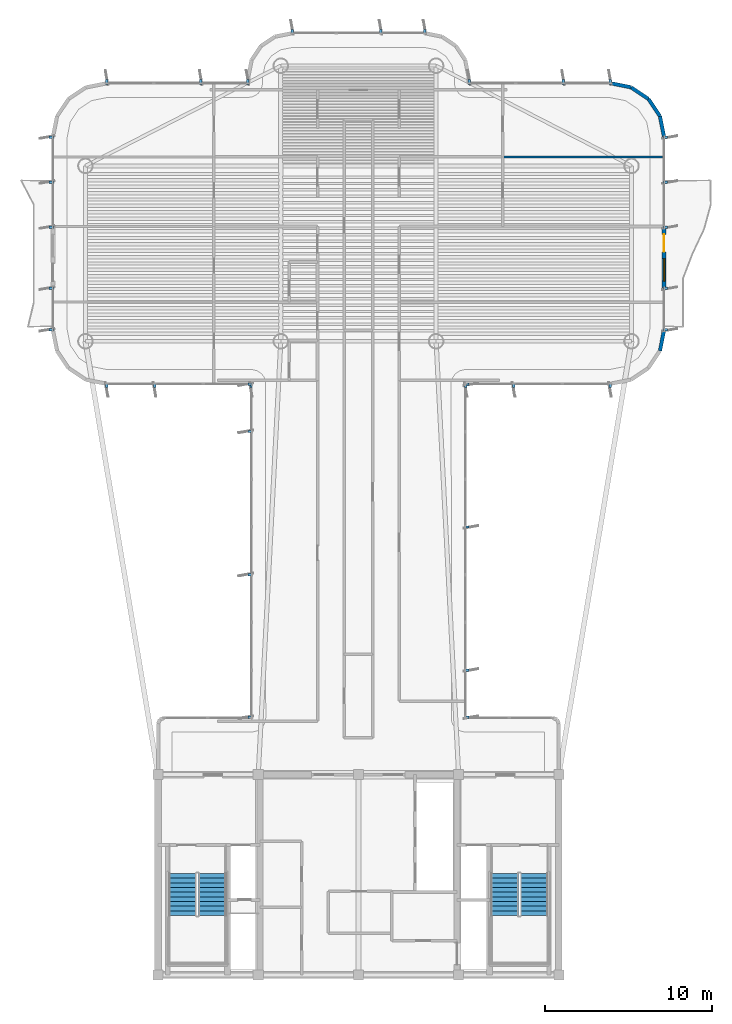
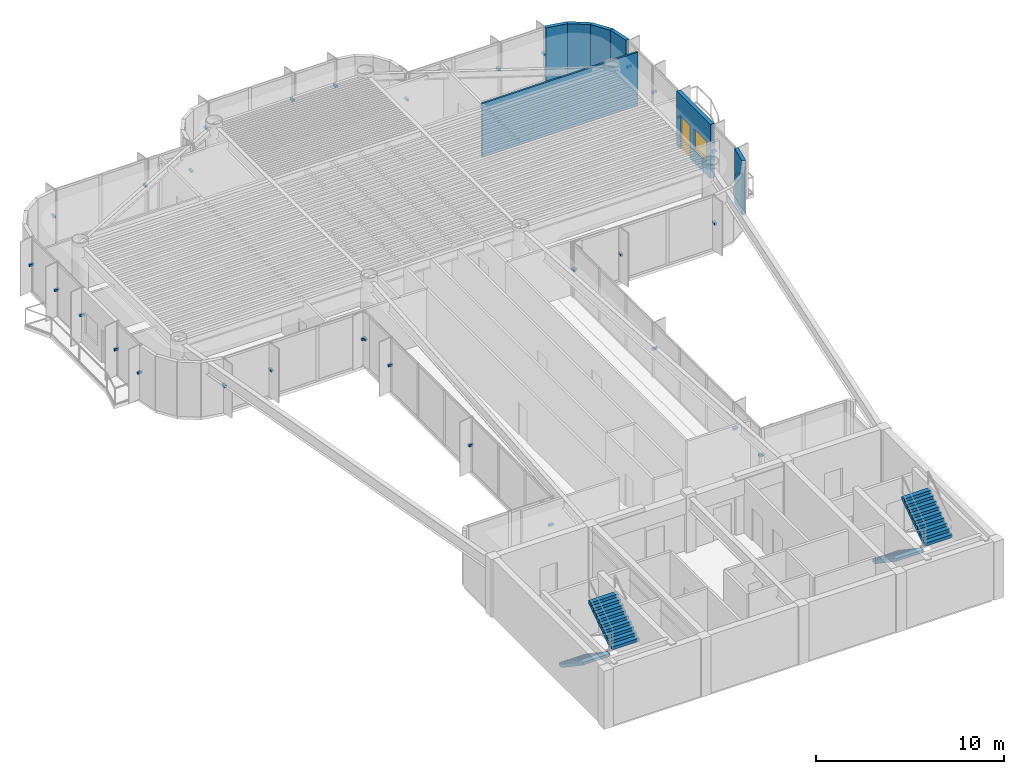
# One storey, part 13 of 15: 33 discrete accessories, 7 walls, 4 stair flights, 1 door, 1 window, 2 openings, 2 elements without a shape of their own.
"""IFC4 building model written with IfcOpenShell, lengths in metres."""

from ifc_helpers import new_model, si_unit, direction, frame, frame_2d, origin, origin_2d, place, context, subcontext, project, spatial, polyline, rectangle, outline, extrude, source, transform, mapped, material, layer, layer_set, type_object, element, fill, aggregate, save


model = new_model("IFC4")

# Units and contexts
model_context = context("Model", 3, precision=1e-05, world=origin(), true_north=direction((0.0, 1.0)))
body_context = subcontext(model_context, "Body", "Model", "MODEL_VIEW")
ifc_project = project(units=[si_unit("LENGTHUNIT", "METRE"), si_unit("AREAUNIT", "SQUARE_METRE"), si_unit("VOLUMEUNIT", "CUBIC_METRE"), si_unit("PLANEANGLEUNIT", "RADIAN"), si_unit("MASSUNIT", "GRAM", prefix="KILO")], contexts=[model_context])

# Site, building, storey
site_placement = place(None, origin())
site = spatial("IfcSite", under=ifc_project, at=site_placement, CompositionType="ELEMENT")
building_placement = place(site_placement, origin())
building = spatial("IfcBuilding", under=site, at=building_placement, Name="Brelvock Crest Care Tower", CompositionType="ELEMENT")
storey_placement = place(building_placement, frame((0.0, 0.0, 260.820068359375)))
storey = spatial("IfcBuildingStorey", under=building, at=storey_placement, Name="L66", CompositionType="ELEMENT", Elevation=260.820068359375)

# Wall, openings, door, window
ifc_material_1 = material(Name="Precast concrete N40 (40 MPa)", Category="concrete")
ifc_layer_1 = layer(ifc_material_1, 0.239990234375, Name="WL-EX1")
ifc_layer_set_1 = layer_set([ifc_layer_1], Name="Precast concrete N40 (40 MPa)")
wall_type_1 = type_object("IfcWallType", Name="WL-EX1", PredefinedType="SOLIDWALL", material=ifc_layer_set_1)
wall_1_placement = place(storey_placement, frame((54.300048828125, 50.75, 0.0), z_axis=(0.0, 0.0, 1.0), x_axis=(0.0, -1.0, 0.0)))
wall_1 = element("IfcWall", 1, at=wall_1_placement, inside=storey, type_object=wall_type_1, Name="L66 Exterior Spandrel Wall WL-BAL-L66-E", PredefinedType="SOLIDWALL", context=body_context, shape_type="SweptSolid", body=[
    extrude(rectangle(XDim=3.60009765625, YDim=0.239990234375, at=frame_2d((1.800048828125, 0.0))), origin(), (0.0, 0.0, 1.0), 3.530029296875),
])
opening_1_placement = place(wall_1_placement, frame((0.39990234375, 0.0, 0.0)))
opening_1 = element("IfcOpeningElement", 2, at=opening_1_placement, cuts=wall_1, Name="Opening BD-1", PredefinedType="OPENING", context=body_context, shape_type="SweptSolid", body=[
    extrude(rectangle(XDim=1.050048828125, YDim=2.14990234375, at=origin_2d()), frame((0.52490234375, 0.1298828125, 1.074951171875), z_axis=(0.0, -1.0, 0.0), x_axis=(1.0, 0.0, 0.0)), (0.0, 0.0, 1.0), 0.260009765625),
])
opening_2_placement = place(wall_1_placement, frame((1.85009765625, 0.0, 0.85009765625)))
opening_2 = element("IfcOpeningElement", 3, at=opening_2_placement, cuts=wall_1, Name="Opening W-01", PredefinedType="OPENING", context=body_context, shape_type="SweptSolid", body=[
    extrude(rectangle(XDim=1.35009765625, YDim=1.35009765625, at=origin_2d()), frame((0.675048828125, 0.1298828125, 0.675048828125), z_axis=(0.0, -1.0, 0.0), x_axis=(1.0, 0.0, 0.0)), (0.0, 0.0, 1.0), 0.260009765625),
])
ifc_material_2 = material(Name="Dark Glass Double Glazed Low-E", Category="glass")
door_type = type_object("IfcDoorType", Name="DR-BAL1", OperationType="NOTDEFINED", PredefinedType="DOOR", material=ifc_material_2)
shared_shape_1 = source(origin(), body_context, "Body", "SweptSolid", [
    extrude(rectangle(XDim=1.050048828125, YDim=2.14990234375, at=origin_2d()), frame((0.52490234375, 0.02490234375, 1.074951171875), z_axis=(0.0, -1.0, 0.0), x_axis=(1.0, 0.0, 0.0)), (0.0, 0.0, 1.0), 0.050048828125),
])
door_placement = place(opening_1_placement, origin())
door = element("IfcDoor", 4, at=door_placement, inside=storey, type_object=door_type, Name="L66 E Wave Balcony Glazed Door", OperationType="SINGLE_SWING_RIGHT", OverallHeight=2.14990234375, OverallWidth=1.050048828125, PredefinedType="DOOR", context=body_context, shape_type="MappedRepresentation", body=[
    mapped(shared_shape_1, transform((0.0, 0.0, 0.0), x_axis=(1.0, 0.0, 0.0), y_axis=(0.0, 1.0, 0.0), z_axis=(0.0, 0.0, 1.0), scale=1.0)),
])
fill(opening_1, door)
window_type = type_object("IfcWindowType", Name="WN-EX1", PartitioningType="SINGLE_PANEL", PredefinedType="WINDOW", material=ifc_material_2)
shared_shape_2 = source(origin(), body_context, "Body", "SweptSolid", [
    extrude(rectangle(XDim=1.35009765625, YDim=1.35009765625, at=origin_2d()), frame((0.675048828125, 0.030029296875, 0.675048828125), z_axis=(0.0, -1.0, 0.0), x_axis=(1.0, 0.0, 0.0)), (0.0, 0.0, 1.0), 0.06005859375),
])
window_placement = place(opening_2_placement, origin())
window = element("IfcWindow", 5, at=window_placement, inside=storey, type_object=window_type, Name="L66 E Suite Casement Window", OverallHeight=1.35009765625, OverallWidth=1.35009765625, PartitioningType="SINGLE_PANEL", PredefinedType="WINDOW", context=body_context, shape_type="MappedRepresentation", body=[
    mapped(shared_shape_2, transform((0.0, 0.0, 0.0), x_axis=(1.0, 0.0, 0.0), y_axis=(0.0, 1.0, 0.0), z_axis=(0.0, 0.0, 1.0), scale=1.0)),
])
fill(opening_2, window)

# Walls
ifc_layer_2 = layer(ifc_material_1, 0.215087890625, Name="WL-EX2")
ifc_layer_set_2 = layer_set([ifc_layer_2], Name="Precast concrete N40 (40 MPa)")
wall_type_2 = type_object("IfcWallType", Name="WL-EX2", PredefinedType="SOLIDWALL", material=ifc_layer_set_2)
for number, where, z_axis, x_axis, name in (
    (6, (51.10009765625, 59.39990234375, 0.0), (0.0, 0.0, 1.0), (0.980813122964, -0.194950295773, 0.0), "L66 Rounded Corner Wall 35"),
    (7, (52.32470703125, 59.156494140625, 0.0), (0.0, 0.0, 1.0), (0.831387912822, -0.555692485475, 0.0), "L66 Rounded Corner Wall 36"),
    (8, (53.36279296875, 58.462646484375, 0.0), (0.0, 0.0, 1.0), (0.555557312883, -0.831478245117, 0.0), "L66 Rounded Corner Wall 37"),
    (9, (54.056396484375, 57.424560546875, 0.0), (0.0, 0.0, 1.0), (0.195138390419, -0.980775717779, 0.0), "L66 Rounded Corner Wall 38"),
    (10, (54.300048828125, 44.60009765625, 0.0), (0.0, 0.0, 1.0), (-0.195138390419, -0.980775717779, 0.0), "L66 Rounded Corner Wall 40"),
):
    element("IfcWall", number, at=place(storey_placement, frame(where, z_axis=z_axis, x_axis=x_axis)), inside=storey, type_object=wall_type_2, Name=name, PredefinedType="SOLIDWALL", context=body_context, shape_type="SweptSolid", body=[
        extrude(rectangle(XDim=1.24853515625, YDim=0.215087890625, at=frame_2d((0.624267578125, 0.0))), origin(), (0.0, 0.0, 1.0), 3.530029296875),
    ])
ifc_material_3 = material(Name="Gypsum Plasterboard Partition", Category="gypsum")
ifc_layer_3 = layer(ifc_material_3, 0.1201171875, Name="WL-INT2")
ifc_layer_set_3 = layer_set([ifc_layer_3], Name="Gypsum Plasterboard Partition")
wall_type_3 = type_object("IfcWallType", Name="WL-INT2", PredefinedType="PARTITIONING", material=ifc_layer_set_3)
wall_2_placement = place(storey_placement, frame((44.64990234375, 54.998046875, 0.0), z_axis=(0.0, 0.0, 1.0), x_axis=(1.0, 0.0, 0.0)))
element("IfcWall", 11, at=wall_2_placement, inside=storey, type_object=wall_type_3, Name="L66 Interior Wall WL-BX-L66-ES3S-N", PredefinedType="PARTITIONING", context=body_context, shape_type="SweptSolid", body=[
    extrude(rectangle(XDim=9.570068359375, YDim=0.1201171875, at=frame_2d((4.78515625, 0.0))), origin(), (0.0, 0.0, 1.0), 3.5),
])

# Stair, stair flights
ifc_material_4 = material(Name="Concrete N40 (40 MPa)", Category="concrete")
stair_type = type_object("IfcStairType", Name="ST-CORE1", PredefinedType="HALF_TURN_STAIR", material=ifc_material_4)
stair_1_placement = place(storey_placement, origin())
stair_1 = element("IfcStair", 12, at=stair_1_placement, inside=storey, type_object=stair_type, Name="L66 Fire-Isolated Core Stair ST-1", PredefinedType="HALF_TURN_STAIR")
stair_flight_type = type_object("IfcStairFlightType", Name="STF-1", PredefinedType="STRAIGHT", material=ifc_material_4)
stair_flight_1_placement = place(storey_placement, frame((25.469970703125, 12.080078125, 0.0), z_axis=(0.0, 0.0, 1.0), x_axis=(0.0, -1.0, 0.0)))
stair_flight_1 = element("IfcStairFlight", 13, at=stair_flight_1_placement, type_object=stair_flight_type, Name="ST-1 flight 1", NumberOfRisers=10, NumberOfTreads=9, PredefinedType="STRAIGHT", RiserHeight=0.189, TreadLength=0.28, context=body_context, shape_type="SweptSolid", body=[
    extrude(outline(polyline([(-0.00390625, -0.014892578125), (-0.00390625, -0.0078125), (-0.00390625, -0.00048828125), (-0.00390625, 0.0068359375), (-0.00390625, 0.01416015625), (-0.00390625, 0.021484375), (-0.00390625, 0.02880859375), (-0.00390625, 0.035888671875), (-0.00390625, 0.043212890625), (-0.00390625, 0.050537109375), (-0.00390625, 0.057861328125), (-0.00390625, 0.065185546875), (-0.00390625, 0.072509765625), (-0.00390625, 0.07958984375), (-0.00390625, 0.0869140625), (-0.00390625, 0.09423828125), (-0.00390625, 0.1015625), (-0.00390625, 0.10888671875), (-0.00390625, 0.1162109375), (-0.00390625, 0.12353515625), (-0.00390625, 0.130615234375), (-0.00390625, 0.137939453125), (-0.00390625, 0.145263671875), (-0.00390625, 0.152587890625), (-0.00390625, 0.159912109375), (-0.00390625, 0.167236328125), (-0.00390625, 0.17431640625), (-0.00390625, 0.181640625), (-0.00390625, 0.18896484375), (0.0, 0.18896484375), (0.280029296875, 0.18896484375), (0.280029296875, 0.3779296875), (0.56005859375, 0.3779296875), (0.56005859375, 0.56689453125), (0.840087890625, 0.56689453125), (0.840087890625, 0.756103515625), (1.1201171875, 0.756103515625), (1.1201171875, 0.945068359375), (1.39990234375, 0.945068359375), (1.39990234375, 1.134033203125), (1.679931640625, 1.134033203125), (1.679931640625, 1.322998046875), (1.9599609375, 1.322998046875), (1.9599609375, 1.511962890625), (2.239990234375, 1.511962890625), (2.239990234375, 1.700927734375), (2.52001953125, 1.700927734375), (2.52392578125, 1.700927734375), (2.523681640625, 1.70068359375), (2.52392578125, 1.700439453125), (2.523681640625, 1.699951171875), (2.52392578125, 1.69970703125), (2.523681640625, 1.699462890625), (2.52392578125, 1.698974609375), (2.523681640625, 1.69873046875), (2.52392578125, 1.698486328125), (2.523681640625, 1.697998046875), (2.52392578125, 1.69775390625), (2.523681640625, 1.697509765625), (2.52392578125, 1.697021484375), (2.523681640625, 1.69677734375), (2.52392578125, 1.696533203125), (2.523681640625, 1.6962890625), (2.52392578125, 1.69580078125), (2.523681640625, 1.695556640625), (2.52392578125, 1.6953125), (2.523681640625, 1.69482421875), (2.52392578125, 1.694580078125), (2.523681640625, 1.6943359375), (2.52392578125, 1.69384765625), (2.523681640625, 1.693603515625), (2.52392578125, 1.693359375), (2.523681640625, 1.69287109375), (2.52392578125, 1.692626953125), (2.523681640625, 1.6923828125), (2.52392578125, 1.69189453125), (2.52001953125, 1.520263671875), (0.267822265625, 0.0), (0.0, 0.0), (0.0, -0.014892578125), (-0.00390625, -0.014892578125)])), frame((0.0, 0.83984375, 0.0), z_axis=(0.0, -1.0, 0.0), x_axis=(1.0, 0.0, 0.0)), (0.0, 0.0, 1.0), 1.679931640625),
])
stair_flight_2_placement = place(storey_placement, frame((27.27001953125, 9.56005859375, 1.889892578125), z_axis=(0.0, 0.0, 1.0), x_axis=(0.0, 1.0, 0.0)))
stair_flight_2 = element("IfcStairFlight", 14, at=stair_flight_2_placement, type_object=stair_flight_type, Name="ST-1 flight 2", NumberOfRisers=10, NumberOfTreads=9, PredefinedType="STRAIGHT", RiserHeight=0.189, TreadLength=0.28, context=body_context, shape_type="SweptSolid", body=[
    extrude(outline(polyline([(-0.00390625, -0.014892578125), (-0.00390625, -0.0078125), (-0.00390625, -0.00048828125), (-0.00390625, 0.0068359375), (-0.00390625, 0.01416015625), (-0.00390625, 0.021484375), (-0.00390625, 0.02880859375), (-0.00390625, 0.035888671875), (-0.00390625, 0.043212890625), (-0.00390625, 0.050537109375), (-0.00390625, 0.057861328125), (-0.00390625, 0.065185546875), (-0.00390625, 0.072509765625), (-0.00390625, 0.07958984375), (-0.00390625, 0.0869140625), (-0.00390625, 0.09423828125), (-0.00390625, 0.1015625), (-0.00390625, 0.10888671875), (-0.00390625, 0.1162109375), (-0.00390625, 0.12353515625), (-0.00390625, 0.130615234375), (-0.00390625, 0.137939453125), (-0.00390625, 0.145263671875), (-0.00390625, 0.152587890625), (-0.00390625, 0.159912109375), (-0.00390625, 0.167236328125), (-0.00390625, 0.17431640625), (-0.00390625, 0.181640625), (-0.00390625, 0.18896484375), (0.0, 0.18896484375), (0.280029296875, 0.18896484375), (0.280029296875, 0.3779296875), (0.56005859375, 0.3779296875), (0.56005859375, 0.56689453125), (0.840087890625, 0.56689453125), (0.840087890625, 0.756103515625), (1.1201171875, 0.756103515625), (1.1201171875, 0.945068359375), (1.39990234375, 0.945068359375), (1.39990234375, 1.134033203125), (1.679931640625, 1.134033203125), (1.679931640625, 1.322998046875), (1.9599609375, 1.322998046875), (1.9599609375, 1.511962890625), (2.239990234375, 1.511962890625), (2.239990234375, 1.700927734375), (2.52001953125, 1.700927734375), (2.52392578125, 1.700927734375), (2.523681640625, 1.70068359375), (2.52392578125, 1.700439453125), (2.523681640625, 1.699951171875), (2.52392578125, 1.69970703125), (2.523681640625, 1.699462890625), (2.52392578125, 1.698974609375), (2.523681640625, 1.69873046875), (2.52392578125, 1.698486328125), (2.523681640625, 1.697998046875), (2.52392578125, 1.69775390625), (2.523681640625, 1.697509765625), (2.52392578125, 1.697021484375), (2.523681640625, 1.69677734375), (2.52392578125, 1.696533203125), (2.523681640625, 1.6962890625), (2.52392578125, 1.69580078125), (2.523681640625, 1.695556640625), (2.52392578125, 1.6953125), (2.523681640625, 1.69482421875), (2.52392578125, 1.694580078125), (2.523681640625, 1.6943359375), (2.52392578125, 1.69384765625), (2.523681640625, 1.693603515625), (2.52392578125, 1.693359375), (2.523681640625, 1.69287109375), (2.52392578125, 1.692626953125), (2.523681640625, 1.6923828125), (2.52392578125, 1.69189453125), (2.52001953125, 1.520263671875), (0.267822265625, 0.0), (0.0, 0.0), (0.0, -0.014892578125), (-0.00390625, -0.014892578125)])), frame((0.0, 0.83984375, 0.0), z_axis=(0.0, -1.0, 0.0), x_axis=(1.0, 0.0, 0.0)), (0.0, 0.0, 1.0), 1.679931640625),
])
aggregate(stair_1, [stair_flight_1, stair_flight_2])

stair_2_placement = place(storey_placement, origin())
stair_2 = element("IfcStair", 15, at=stair_2_placement, inside=storey, type_object=stair_type, Name="L66 Fire-Isolated Core Stair ST-2", PredefinedType="HALF_TURN_STAIR")
stair_flight_3_placement = place(storey_placement, frame((44.72998046875, 12.080078125, 0.0), z_axis=(0.0, 0.0, 1.0), x_axis=(0.0, -1.0, 0.0)))
stair_flight_3 = element("IfcStairFlight", 16, at=stair_flight_3_placement, type_object=stair_flight_type, Name="ST-2 flight 1", NumberOfRisers=10, NumberOfTreads=9, PredefinedType="STRAIGHT", RiserHeight=0.189, TreadLength=0.28, context=body_context, shape_type="SweptSolid", body=[
    extrude(outline(polyline([(-0.00390625, -0.014892578125), (-0.00390625, -0.0078125), (-0.00390625, -0.00048828125), (-0.00390625, 0.0068359375), (-0.00390625, 0.01416015625), (-0.00390625, 0.021484375), (-0.00390625, 0.02880859375), (-0.00390625, 0.035888671875), (-0.00390625, 0.043212890625), (-0.00390625, 0.050537109375), (-0.00390625, 0.057861328125), (-0.00390625, 0.065185546875), (-0.00390625, 0.072509765625), (-0.00390625, 0.07958984375), (-0.00390625, 0.0869140625), (-0.00390625, 0.09423828125), (-0.00390625, 0.1015625), (-0.00390625, 0.10888671875), (-0.00390625, 0.1162109375), (-0.00390625, 0.12353515625), (-0.00390625, 0.130615234375), (-0.00390625, 0.137939453125), (-0.00390625, 0.145263671875), (-0.00390625, 0.152587890625), (-0.00390625, 0.159912109375), (-0.00390625, 0.167236328125), (-0.00390625, 0.17431640625), (-0.00390625, 0.181640625), (-0.00390625, 0.18896484375), (0.0, 0.18896484375), (0.280029296875, 0.18896484375), (0.280029296875, 0.3779296875), (0.56005859375, 0.3779296875), (0.56005859375, 0.56689453125), (0.840087890625, 0.56689453125), (0.840087890625, 0.756103515625), (1.1201171875, 0.756103515625), (1.1201171875, 0.945068359375), (1.39990234375, 0.945068359375), (1.39990234375, 1.134033203125), (1.679931640625, 1.134033203125), (1.679931640625, 1.322998046875), (1.9599609375, 1.322998046875), (1.9599609375, 1.511962890625), (2.239990234375, 1.511962890625), (2.239990234375, 1.700927734375), (2.52001953125, 1.700927734375), (2.52392578125, 1.700927734375), (2.523681640625, 1.70068359375), (2.52392578125, 1.700439453125), (2.523681640625, 1.699951171875), (2.52392578125, 1.69970703125), (2.523681640625, 1.699462890625), (2.52392578125, 1.698974609375), (2.523681640625, 1.69873046875), (2.52392578125, 1.698486328125), (2.523681640625, 1.697998046875), (2.52392578125, 1.69775390625), (2.523681640625, 1.697509765625), (2.52392578125, 1.697021484375), (2.523681640625, 1.69677734375), (2.52392578125, 1.696533203125), (2.523681640625, 1.6962890625), (2.52392578125, 1.69580078125), (2.523681640625, 1.695556640625), (2.52392578125, 1.6953125), (2.523681640625, 1.69482421875), (2.52392578125, 1.694580078125), (2.523681640625, 1.6943359375), (2.52392578125, 1.69384765625), (2.523681640625, 1.693603515625), (2.52392578125, 1.693359375), (2.523681640625, 1.69287109375), (2.52392578125, 1.692626953125), (2.523681640625, 1.6923828125), (2.52392578125, 1.69189453125), (2.52001953125, 1.520263671875), (0.267822265625, 0.0), (0.0, 0.0), (0.0, -0.014892578125), (-0.00390625, -0.014892578125)])), frame((0.0, 0.83984375, 0.0), z_axis=(0.0, -1.0, 0.0), x_axis=(1.0, 0.0, 0.0)), (0.0, 0.0, 1.0), 1.679931640625),
])
stair_flight_4_placement = place(storey_placement, frame((46.530029296875, 9.56005859375, 1.889892578125), z_axis=(0.0, 0.0, 1.0), x_axis=(0.0, 1.0, 0.0)))
stair_flight_4 = element("IfcStairFlight", 17, at=stair_flight_4_placement, type_object=stair_flight_type, Name="ST-2 flight 2", NumberOfRisers=10, NumberOfTreads=9, PredefinedType="STRAIGHT", RiserHeight=0.189, TreadLength=0.28, context=body_context, shape_type="SweptSolid", body=[
    extrude(outline(polyline([(-0.00390625, -0.014892578125), (-0.00390625, -0.0078125), (-0.00390625, -0.00048828125), (-0.00390625, 0.0068359375), (-0.00390625, 0.01416015625), (-0.00390625, 0.021484375), (-0.00390625, 0.02880859375), (-0.00390625, 0.035888671875), (-0.00390625, 0.043212890625), (-0.00390625, 0.050537109375), (-0.00390625, 0.057861328125), (-0.00390625, 0.065185546875), (-0.00390625, 0.072509765625), (-0.00390625, 0.07958984375), (-0.00390625, 0.0869140625), (-0.00390625, 0.09423828125), (-0.00390625, 0.1015625), (-0.00390625, 0.10888671875), (-0.00390625, 0.1162109375), (-0.00390625, 0.12353515625), (-0.00390625, 0.130615234375), (-0.00390625, 0.137939453125), (-0.00390625, 0.145263671875), (-0.00390625, 0.152587890625), (-0.00390625, 0.159912109375), (-0.00390625, 0.167236328125), (-0.00390625, 0.17431640625), (-0.00390625, 0.181640625), (-0.00390625, 0.18896484375), (0.0, 0.18896484375), (0.280029296875, 0.18896484375), (0.280029296875, 0.3779296875), (0.56005859375, 0.3779296875), (0.56005859375, 0.56689453125), (0.840087890625, 0.56689453125), (0.840087890625, 0.756103515625), (1.1201171875, 0.756103515625), (1.1201171875, 0.945068359375), (1.39990234375, 0.945068359375), (1.39990234375, 1.134033203125), (1.679931640625, 1.134033203125), (1.679931640625, 1.322998046875), (1.9599609375, 1.322998046875), (1.9599609375, 1.511962890625), (2.239990234375, 1.511962890625), (2.239990234375, 1.700927734375), (2.52001953125, 1.700927734375), (2.52392578125, 1.700927734375), (2.523681640625, 1.70068359375), (2.52392578125, 1.700439453125), (2.523681640625, 1.699951171875), (2.52392578125, 1.69970703125), (2.523681640625, 1.699462890625), (2.52392578125, 1.698974609375), (2.523681640625, 1.69873046875), (2.52392578125, 1.698486328125), (2.523681640625, 1.697998046875), (2.52392578125, 1.69775390625), (2.523681640625, 1.697509765625), (2.52392578125, 1.697021484375), (2.523681640625, 1.69677734375), (2.52392578125, 1.696533203125), (2.523681640625, 1.6962890625), (2.52392578125, 1.69580078125), (2.523681640625, 1.695556640625), (2.52392578125, 1.6953125), (2.523681640625, 1.69482421875), (2.52392578125, 1.694580078125), (2.523681640625, 1.6943359375), (2.52392578125, 1.69384765625), (2.523681640625, 1.693603515625), (2.52392578125, 1.693359375), (2.523681640625, 1.69287109375), (2.52392578125, 1.692626953125), (2.523681640625, 1.6923828125), (2.52392578125, 1.69189453125), (2.52001953125, 1.520263671875), (0.267822265625, 0.0), (0.0, 0.0), (0.0, -0.014892578125), (-0.00390625, -0.014892578125)])), frame((0.0, 0.83984375, 0.0), z_axis=(0.0, -1.0, 0.0), x_axis=(1.0, 0.0, 0.0)), (0.0, 0.0, 1.0), 1.679931640625),
])
aggregate(stair_2, [stair_flight_3, stair_flight_4])

# Discrete accessories
ifc_material_5 = material(Name="Steel Grade 350", Category="steel")
discrete_accessory_type = type_object("IfcDiscreteAccessoryType", Name="ACC-BRK1", PredefinedType="BRACKET", material=ifc_material_5)
shared_shape_3 = source(origin(), body_context, "Body", "SweptSolid", [
    extrude(rectangle(XDim=0.280029296875, YDim=0.139892578125, at=origin_2d()), origin(), (0.0, 0.0, 1.0), 0.139892578125),
])
for number, where, z_axis, x_axis, name in (
    (18, (29.52001953125, 21.429931640625, 1.69482421875), (0.0, 0.0, 1.0), (-1.0, 0.0, 0.0), "L66 Facade Fin Bracket E11-01"),
    (19, (29.52001953125, 29.971435546875, 1.69482421875), (0.0, 0.0, 1.0), (-1.0, 0.0, 0.0), "L66 Facade Fin Bracket E11-04"),
    (20, (29.52001953125, 38.54296875, 1.69482421875), (0.0, 0.0, 1.0), (-1.0, 0.0, 0.0), "L66 Facade Fin Bracket E11-07"),
    (21, (29.52001953125, 41.3701171875, 1.69482421875), (0.0, 0.0, 1.0), (-1.0, 0.0, 0.0), "L66 Facade Fin Bracket E11-08"),
    (22, (29.570068359375, 41.320068359375, 1.69482421875), (0.0, 0.0, 1.0), (0.0, -1.0, 0.0), "L66 Facade Fin Bracket E12-01"),
    (23, (23.800048828125, 41.320068359375, 1.69482421875), (0.0, 0.0, 1.0), (0.0, -1.0, 0.0), "L66 Facade Fin Bracket E12-03"),
    (24, (20.929931640625, 41.320068359375, 1.69482421875), (0.0, 0.0, 1.0), (0.0, -1.0, 0.0), "L66 Facade Fin Bracket E12-04"),
    (25, (17.6201171875, 44.6298828125, 1.69482421875), (0.0, 0.0, 1.0), (-1.0, 0.0, 0.0), "L66 Facade Fin Bracket E17A-01"),
    (26, (17.6201171875, 47.1201171875, 1.69482421875), (0.0, 0.0, 1.0), (-1.0, 0.0, 0.0), "L66 Facade Fin Bracket E17A-02"),
    (27, (17.6201171875, 50.780029296875, 1.69482421875), (0.0, 0.0, 1.0), (-1.0, 0.0, 0.0), "L66 Facade Fin Bracket E17B-01"),
    (28, (17.6201171875, 53.47509765625, 1.69482421875), (0.0, 0.0, 1.0), (-1.0, 0.0, 0.0), "L66 Facade Fin Bracket E17B-02"),
    (29, (17.6201171875, 56.169921875, 1.69482421875), (0.0, 0.0, 1.0), (-1.0, 0.0, 0.0), "L66 Facade Fin Bracket E17B-03"),
    (30, (20.929931640625, 59.47998046875, 1.69482421875), (0.0, 0.0, 1.0), (0.0, 1.0, 0.0), "L66 Facade Fin Bracket E22-01"),
    (31, (26.566650390625, 59.47998046875, 1.69482421875), (0.0, 0.0, 1.0), (0.0, 1.0, 0.0), "L66 Facade Fin Bracket E22-03"),
    (32, (29.3701171875, 59.47998046875, 1.69482421875), (0.0, 0.0, 1.0), (0.0, 1.0, 0.0), "L66 Facade Fin Bracket E22-04"),
    (33, (32.030029296875, 62.47998046875, 1.69482421875), (0.0, 0.0, 1.0), (0.0, 1.0, 0.0), "L66 Facade Fin Bracket E28-01"),
    (34, (37.333251953125, 62.47998046875, 1.69482421875), (0.0, 0.0, 1.0), (0.0, 1.0, 0.0), "L66 Facade Fin Bracket E28-03"),
    (35, (39.969970703125, 62.47998046875, 1.69482421875), (0.0, 0.0, 1.0), (0.0, 1.0, 0.0), "L66 Facade Fin Bracket E28-04"),
    (36, (42.6298828125, 59.47998046875, 1.69482421875), (0.0, 0.0, 1.0), (0.0, 1.0, 0.0), "L66 Facade Fin Bracket E34-01"),
    (37, (48.2666015625, 59.47998046875, 1.69482421875), (0.0, 0.0, 1.0), (0.0, 1.0, 0.0), "L66 Facade Fin Bracket E34-03"),
    (38, (51.070068359375, 59.47998046875, 1.69482421875), (0.0, 0.0, 1.0), (0.0, 1.0, 0.0), "L66 Facade Fin Bracket E34-04"),
    (39, (54.3798828125, 56.169921875, 1.69482421875), (0.0, 0.0, 1.0), (1.0, 0.0, 0.0), "L66 Facade Fin Bracket E39A-01"),
    (40, (54.3798828125, 53.47509765625, 1.69482421875), (0.0, 0.0, 1.0), (1.0, 0.0, 0.0), "L66 Facade Fin Bracket E39A-02"),
    (41, (54.3798828125, 50.780029296875, 1.69482421875), (0.0, 0.0, 1.0), (1.0, 0.0, 0.0), "L66 Facade Fin Bracket E39A-03"),
    (42, (54.3798828125, 47.1201171875, 1.69482421875), (0.0, 0.0, 1.0), (1.0, 0.0, 0.0), "L66 Facade Fin Bracket E39B-01"),
    (43, (54.3798828125, 44.6298828125, 1.69482421875), (0.0, 0.0, 1.0), (1.0, 0.0, 0.0), "L66 Facade Fin Bracket E39B-02"),
    (44, (51.070068359375, 41.320068359375, 1.69482421875), (0.0, 0.0, 1.0), (0.0, -1.0, 0.0), "L66 Facade Fin Bracket E44-01"),
    (45, (45.300048828125, 41.320068359375, 1.69482421875), (0.0, 0.0, 1.0), (0.0, -1.0, 0.0), "L66 Facade Fin Bracket E44-03"),
    (46, (42.429931640625, 41.320068359375, 1.69482421875), (0.0, 0.0, 1.0), (0.0, -1.0, 0.0), "L66 Facade Fin Bracket E44-04"),
    (47, (42.47998046875, 41.3701171875, 1.69482421875), (0.0, 0.0, 1.0), (1.0, 0.0, 0.0), "L66 Facade Fin Bracket E45-01"),
    (48, (42.47998046875, 32.82861328125, 1.69482421875), (0.0, 0.0, 1.0), (1.0, 0.0, 0.0), "L66 Facade Fin Bracket E45-04"),
    (49, (42.47998046875, 24.257080078125, 1.69482421875), (0.0, 0.0, 1.0), (1.0, 0.0, 0.0), "L66 Facade Fin Bracket E45-07"),
    (50, (42.47998046875, 21.429931640625, 1.69482421875), (0.0, 0.0, 1.0), (1.0, 0.0, 0.0), "L66 Facade Fin Bracket E45-08"),
):
    element("IfcDiscreteAccessory", number, at=place(storey_placement, frame(where, z_axis=z_axis, x_axis=x_axis)), inside=storey, type_object=discrete_accessory_type, Name=name, PredefinedType="BRACKET", context=body_context, shape_type="MappedRepresentation", body=[
        mapped(shared_shape_3, transform((0.0, 0.0, 0.0), x_axis=(1.0, 0.0, 0.0), y_axis=(0.0, 1.0, 0.0), z_axis=(0.0, 0.0, 1.0), scale=1.0)),
    ])

save(model, "model.ifc")
